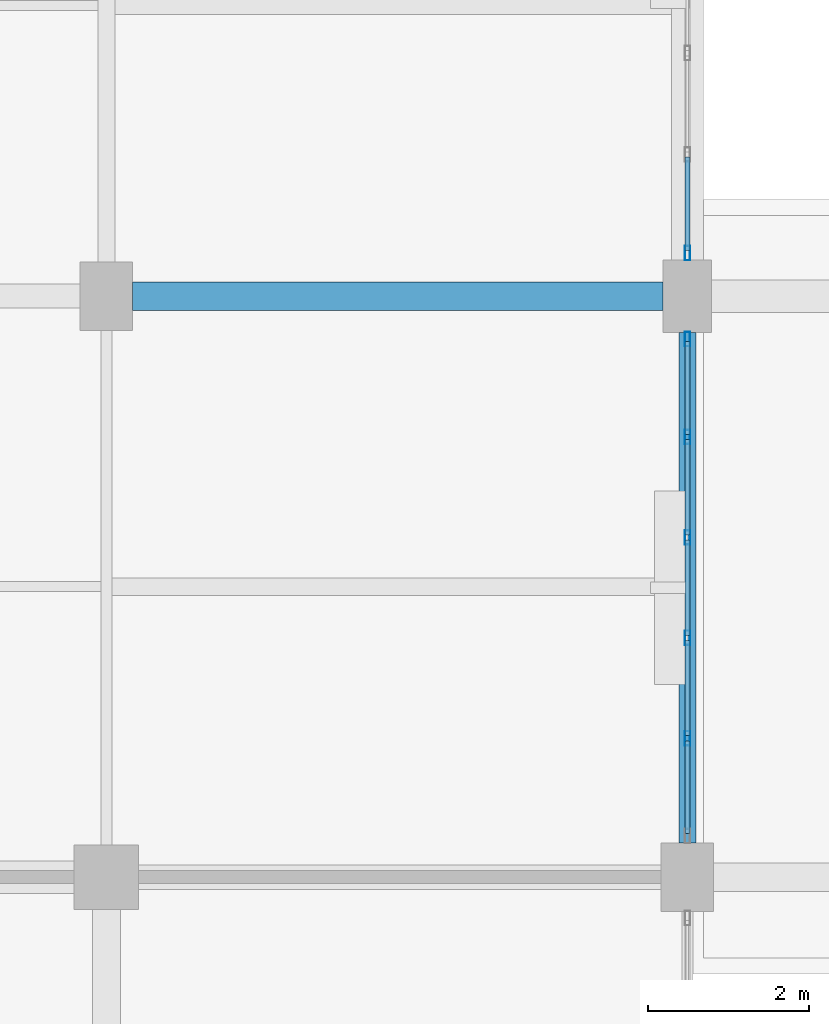
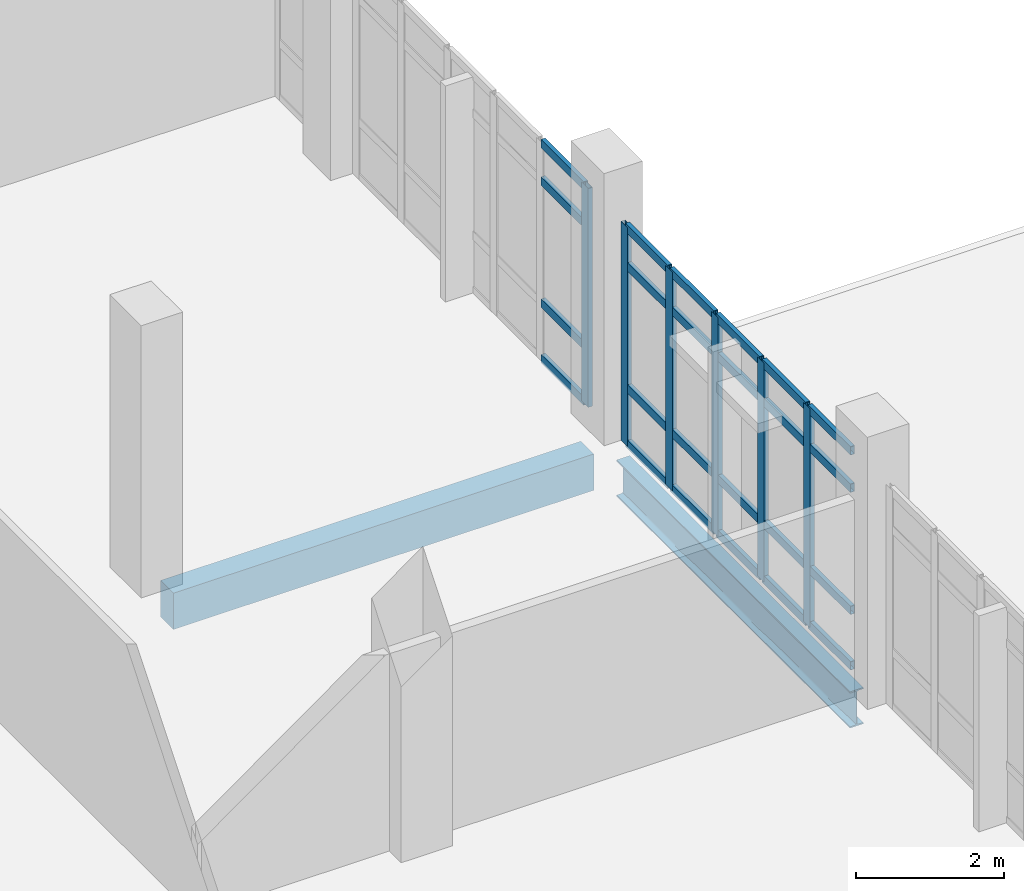
# One storey, part 17 of 134: 30 members, 2 beams, 2 elements without a shape of their own.
"""IFC4 building model written with IfcOpenShell, lengths in metres."""

from ifc_helpers import new_model, si_unit, direction, frame, origin, origin_2d, place, context, subcontext, project, spatial, rectangle, hollow_rectangle, i_section, extrude, material, material_profile, profile_set, type_object, element, aggregate, save


model = new_model("IFC4")

# Units and contexts
model_context = context("Model", 3, precision=1e-05, world=origin(), true_north=direction((0.0, 1.0)))
body_context = subcontext(model_context, "Body", "Model", "MODEL_VIEW")
ifc_project = project(units=[si_unit("LENGTHUNIT", "METRE"), si_unit("AREAUNIT", "SQUARE_METRE"), si_unit("VOLUMEUNIT", "CUBIC_METRE"), si_unit("PLANEANGLEUNIT", "RADIAN"), si_unit("MASSUNIT", "GRAM", prefix="KILO")], contexts=[model_context])

# Site, building, storey
site_placement = place(None, origin())
site = spatial("IfcSite", under=ifc_project, at=site_placement, CompositionType="ELEMENT")
building_placement = place(site_placement, origin())
building = spatial("IfcBuilding", under=site, at=building_placement, Name="Kalluvel Institute of Natural Sciences", CompositionType="ELEMENT")
storey_placement = place(building_placement, frame((0.0, 0.0, 5.39990234375)))
storey = spatial("IfcBuildingStorey", under=building, at=storey_placement, Name="L01", CompositionType="ELEMENT", Elevation=5.39990234375)

# Beam
ifc_material_1 = material(Name="Steel E350 Grade 350", Category="steel")
ifc_material_profile_1 = material_profile(ifc_material_1, i_section(OverallWidth=0.2099609375, OverallDepth=0.60009765625, WebThickness=0.011962890625, FlangeThickness=0.020751953125, FilletRadius=0.02001953125, at=origin_2d()), Name="ISMB 600")
ifc_profile_set_1 = profile_set([ifc_material_profile_1], Name="Steel E350 Grade 350")
beam_type_1 = type_object("IfcBeamType", Name="BM-ISMB600", PredefinedType="BEAM", material=ifc_profile_set_1)
beam_1_placement = place(storey_placement, frame((35.60009765625, 28.824951171875, -0.599853515625), z_axis=(0.0, 1.0, 0.0), x_axis=(-1.0, 0.0, 0.0)))
element("IfcBeam", 1, at=beam_1_placement, inside=storey, type_object=beam_type_1, Name="L01 girder GIR-L01-NS-X356-Y284", PredefinedType="BEAM", context=body_context, shape_type="SweptSolid", body=[
    extrude(i_section(OverallWidth=0.2099609375, OverallDepth=0.60009765625, WebThickness=0.011962890625, FlangeThickness=0.020751953125, FilletRadius=0.02001953125, at=origin_2d()), origin(), (0.0, 0.0, 1.0), 6.324951171875),
])

# Curtain wall, members
ifc_material_2 = material(Name="Aluminium AW-6063 T6", Category="aluminium")
curtain_wall_type = type_object("IfcCurtainWallType", Name="CW-DRY-45", PredefinedType="USERDEFINED", material=ifc_material_2)
curtain_wall_1_placement = place(storey_placement, origin())
curtain_wall_1 = element("IfcCurtainWall", 2, at=curtain_wall_1_placement, inside=storey, type_object=curtain_wall_type, Name="L01 Gothic lancet curtain wall CWA-L01-X356-Y289", ObjectType="UNITISED LANCET FACADE", PredefinedType="USERDEFINED")
ifc_material_profile_2 = material_profile(ifc_material_2, hollow_rectangle(XDim=0.06494140625, YDim=0.179931640625, WallThickness=0.00439453125, at=origin_2d()), Name="CWM 65x180")
ifc_profile_set_2 = profile_set([ifc_material_profile_2], Name="Aluminium AW-6063 T6")
member_type_1 = type_object("IfcMemberType", Name="CWM-65x180", PredefinedType="MULLION", material=ifc_profile_set_2)
member_1_placement = place(storey_placement, frame((35.60009765625, 30.1201171875, 0.0), z_axis=(0.0, 0.0, 1.0), x_axis=(-1.0, 0.0, 0.0)))
member_1 = element("IfcMember", 3, at=member_1_placement, type_object=member_type_1, Name="CW-03 mullion 2", PredefinedType="MULLION", context=body_context, shape_type="SweptSolid", body=[
    extrude(hollow_rectangle(XDim=0.06494140625, YDim=0.179931640625, WallThickness=0.00439453125, at=origin_2d()), origin(), (0.0, 0.0, 1.0), 3.6201171875),
])
member_2_placement = place(storey_placement, frame((35.60009765625, 31.364990234375, 0.0), z_axis=(0.0, 0.0, 1.0), x_axis=(-1.0, 0.0, 0.0)))
member_2 = element("IfcMember", 4, at=member_2_placement, type_object=member_type_1, Name="CW-03 mullion 3", PredefinedType="MULLION", context=body_context, shape_type="SweptSolid", body=[
    extrude(hollow_rectangle(XDim=0.06494140625, YDim=0.179931640625, WallThickness=0.00439453125, at=origin_2d()), origin(), (0.0, 0.0, 1.0), 3.6201171875),
])
member_3_placement = place(storey_placement, frame((35.60009765625, 32.610107421875, 0.0), z_axis=(0.0, 0.0, 1.0), x_axis=(-1.0, 0.0, 0.0)))
member_3 = element("IfcMember", 5, at=member_3_placement, type_object=member_type_1, Name="CW-03 mullion 4", PredefinedType="MULLION", context=body_context, shape_type="SweptSolid", body=[
    extrude(hollow_rectangle(XDim=0.06494140625, YDim=0.179931640625, WallThickness=0.00439453125, at=origin_2d()), origin(), (0.0, 0.0, 1.0), 3.6201171875),
])
member_4_placement = place(storey_placement, frame((35.60009765625, 33.85498046875, 0.0), z_axis=(0.0, 0.0, 1.0), x_axis=(-1.0, 0.0, 0.0)))
member_4 = element("IfcMember", 6, at=member_4_placement, type_object=member_type_1, Name="CW-03 mullion 5", PredefinedType="MULLION", context=body_context, shape_type="SweptSolid", body=[
    extrude(hollow_rectangle(XDim=0.06494140625, YDim=0.179931640625, WallThickness=0.00439453125, at=origin_2d()), origin(), (0.0, 0.0, 1.0), 3.6201171875),
])
member_5_placement = place(storey_placement, frame((35.60009765625, 35.0673828125, 0.0), z_axis=(0.0, 0.0, 1.0), x_axis=(-1.0, 0.0, 0.0)))
member_5 = element("IfcMember", 7, at=member_5_placement, type_object=member_type_1, Name="CW-03 mullion 6", PredefinedType="MULLION", context=body_context, shape_type="SweptSolid", body=[
    extrude(hollow_rectangle(XDim=0.06494140625, YDim=0.179931640625, WallThickness=0.00439453125, at=origin_2d()), origin(), (0.0, 0.0, 1.0), 3.6201171875),
])

# Curtain wall, member
curtain_wall_2_placement = place(storey_placement, origin())
curtain_wall_2 = element("IfcCurtainWall", 8, at=curtain_wall_2_placement, inside=storey, type_object=curtain_wall_type, Name="L01 Gothic lancet curtain wall CWA-L01-X356-Y361", ObjectType="UNITISED LANCET FACADE", PredefinedType="USERDEFINED")
member_6_placement = place(storey_placement, frame((35.60009765625, 36.132568359375, 0.0), z_axis=(0.0, 0.0, 1.0), x_axis=(-1.0, 0.0, 0.0)))
member_6 = element("IfcMember", 9, at=member_6_placement, type_object=member_type_1, Name="CW-03 mullion 1", PredefinedType="MULLION", context=body_context, shape_type="SweptSolid", body=[
    extrude(hollow_rectangle(XDim=0.06494140625, YDim=0.179931640625, WallThickness=0.00439453125, at=origin_2d()), origin(), (0.0, 0.0, 1.0), 3.6201171875),
])

# Member
ifc_material_profile_3 = material_profile(ifc_material_2, hollow_rectangle(XDim=0.06494140625, YDim=0.139892578125, WallThickness=0.00439453125, at=origin_2d()), Name="CWT 65x140")
ifc_profile_set_3 = profile_set([ifc_material_profile_3], Name="Aluminium AW-6063 T6")
member_type_2 = type_object("IfcMemberType", Name="CWT-65x140", PredefinedType="USERDEFINED", material=ifc_profile_set_3)
member_7_placement = place(storey_placement, frame((35.60009765625, 28.93994140625, 0.03271484375), z_axis=(0.0, 1.0, 0.0), x_axis=(-1.0, 0.0, 0.0)))
member_7 = element("IfcMember", 10, at=member_7_placement, type_object=member_type_2, Name="CW-03 transom 1.1", ObjectType="TRANSOM", PredefinedType="USERDEFINED", context=body_context, shape_type="SweptSolid", body=[
    extrude(hollow_rectangle(XDim=0.06494140625, YDim=0.139892578125, WallThickness=0.00439453125, at=origin_2d()), origin(), (0.0, 0.0, 1.0), 1.1474609375),
])

member_8_placement = place(storey_placement, frame((35.60009765625, 28.93994140625, 0.9501953125), z_axis=(0.0, 1.0, 0.0), x_axis=(-1.0, 0.0, 0.0)))
member_8 = element("IfcMember", 11, at=member_8_placement, type_object=member_type_2, Name="CW-03 transom 1.2", ObjectType="TRANSOM", PredefinedType="USERDEFINED", context=body_context, shape_type="SweptSolid", body=[
    extrude(hollow_rectangle(XDim=0.06494140625, YDim=0.139892578125, WallThickness=0.00439453125, at=origin_2d()), origin(), (0.0, 0.0, 1.0), 1.1474609375),
])

member_9_placement = place(storey_placement, frame((35.60009765625, 28.93994140625, 2.97021484375), z_axis=(0.0, 1.0, 0.0), x_axis=(-1.0, 0.0, 0.0)))
member_9 = element("IfcMember", 12, at=member_9_placement, type_object=member_type_2, Name="CW-03 transom 1.3", ObjectType="TRANSOM", PredefinedType="USERDEFINED", context=body_context, shape_type="SweptSolid", body=[
    extrude(hollow_rectangle(XDim=0.06494140625, YDim=0.139892578125, WallThickness=0.00439453125, at=origin_2d()), origin(), (0.0, 0.0, 1.0), 1.1474609375),
])

member_10_placement = place(storey_placement, frame((35.60009765625, 28.93994140625, 3.587646484375), z_axis=(0.0, 1.0, 0.0), x_axis=(-1.0, 0.0, 0.0)))
member_10 = element("IfcMember", 13, at=member_10_placement, type_object=member_type_2, Name="CW-03 transom 1.4", ObjectType="TRANSOM", PredefinedType="USERDEFINED", context=body_context, shape_type="SweptSolid", body=[
    extrude(hollow_rectangle(XDim=0.06494140625, YDim=0.139892578125, WallThickness=0.00439453125, at=origin_2d()), origin(), (0.0, 0.0, 1.0), 1.1474609375),
])

member_11_placement = place(storey_placement, frame((35.60009765625, 30.152587890625, 0.03271484375), z_axis=(0.0, 1.0, 0.0), x_axis=(-1.0, 0.0, 0.0)))
member_11 = element("IfcMember", 14, at=member_11_placement, type_object=member_type_2, Name="CW-03 transom 2.1", ObjectType="TRANSOM", PredefinedType="USERDEFINED", context=body_context, shape_type="SweptSolid", body=[
    extrude(hollow_rectangle(XDim=0.06494140625, YDim=0.139892578125, WallThickness=0.00439453125, at=origin_2d()), origin(), (0.0, 0.0, 1.0), 1.179931640625),
])

member_12_placement = place(storey_placement, frame((35.60009765625, 30.152587890625, 0.9501953125), z_axis=(0.0, 1.0, 0.0), x_axis=(-1.0, 0.0, 0.0)))
member_12 = element("IfcMember", 15, at=member_12_placement, type_object=member_type_2, Name="CW-03 transom 2.2", ObjectType="TRANSOM", PredefinedType="USERDEFINED", context=body_context, shape_type="SweptSolid", body=[
    extrude(hollow_rectangle(XDim=0.06494140625, YDim=0.139892578125, WallThickness=0.00439453125, at=origin_2d()), origin(), (0.0, 0.0, 1.0), 1.179931640625),
])

member_13_placement = place(storey_placement, frame((35.60009765625, 30.152587890625, 2.97021484375), z_axis=(0.0, 1.0, 0.0), x_axis=(-1.0, 0.0, 0.0)))
member_13 = element("IfcMember", 16, at=member_13_placement, type_object=member_type_2, Name="CW-03 transom 2.3", ObjectType="TRANSOM", PredefinedType="USERDEFINED", context=body_context, shape_type="SweptSolid", body=[
    extrude(hollow_rectangle(XDim=0.06494140625, YDim=0.139892578125, WallThickness=0.00439453125, at=origin_2d()), origin(), (0.0, 0.0, 1.0), 1.179931640625),
])

member_14_placement = place(storey_placement, frame((35.60009765625, 30.152587890625, 3.587646484375), z_axis=(0.0, 1.0, 0.0), x_axis=(-1.0, 0.0, 0.0)))
member_14 = element("IfcMember", 17, at=member_14_placement, type_object=member_type_2, Name="CW-03 transom 2.4", ObjectType="TRANSOM", PredefinedType="USERDEFINED", context=body_context, shape_type="SweptSolid", body=[
    extrude(hollow_rectangle(XDim=0.06494140625, YDim=0.139892578125, WallThickness=0.00439453125, at=origin_2d()), origin(), (0.0, 0.0, 1.0), 1.179931640625),
])

member_15_placement = place(storey_placement, frame((35.60009765625, 31.3974609375, 0.03271484375), z_axis=(0.0, 1.0, 0.0), x_axis=(-1.0, 0.0, 0.0)))
member_15 = element("IfcMember", 18, at=member_15_placement, type_object=member_type_2, Name="CW-03 transom 3.1", ObjectType="TRANSOM", PredefinedType="USERDEFINED", context=body_context, shape_type="SweptSolid", body=[
    extrude(hollow_rectangle(XDim=0.06494140625, YDim=0.139892578125, WallThickness=0.00439453125, at=origin_2d()), origin(), (0.0, 0.0, 1.0), 1.179931640625),
])

member_16_placement = place(storey_placement, frame((35.60009765625, 31.3974609375, 0.9501953125), z_axis=(0.0, 1.0, 0.0), x_axis=(-1.0, 0.0, 0.0)))
member_16 = element("IfcMember", 19, at=member_16_placement, type_object=member_type_2, Name="CW-03 transom 3.2", ObjectType="TRANSOM", PredefinedType="USERDEFINED", context=body_context, shape_type="SweptSolid", body=[
    extrude(hollow_rectangle(XDim=0.06494140625, YDim=0.139892578125, WallThickness=0.00439453125, at=origin_2d()), origin(), (0.0, 0.0, 1.0), 1.179931640625),
])

member_17_placement = place(storey_placement, frame((35.60009765625, 31.3974609375, 2.97021484375), z_axis=(0.0, 1.0, 0.0), x_axis=(-1.0, 0.0, 0.0)))
member_17 = element("IfcMember", 20, at=member_17_placement, type_object=member_type_2, Name="CW-03 transom 3.3", ObjectType="TRANSOM", PredefinedType="USERDEFINED", context=body_context, shape_type="SweptSolid", body=[
    extrude(hollow_rectangle(XDim=0.06494140625, YDim=0.139892578125, WallThickness=0.00439453125, at=origin_2d()), origin(), (0.0, 0.0, 1.0), 1.179931640625),
])

member_18_placement = place(storey_placement, frame((35.60009765625, 31.3974609375, 3.587646484375), z_axis=(0.0, 1.0, 0.0), x_axis=(-1.0, 0.0, 0.0)))
member_18 = element("IfcMember", 21, at=member_18_placement, type_object=member_type_2, Name="CW-03 transom 3.4", ObjectType="TRANSOM", PredefinedType="USERDEFINED", context=body_context, shape_type="SweptSolid", body=[
    extrude(hollow_rectangle(XDim=0.06494140625, YDim=0.139892578125, WallThickness=0.00439453125, at=origin_2d()), origin(), (0.0, 0.0, 1.0), 1.179931640625),
])

member_19_placement = place(storey_placement, frame((35.60009765625, 32.642578125, 0.03271484375), z_axis=(0.0, 1.0, 0.0), x_axis=(-1.0, 0.0, 0.0)))
member_19 = element("IfcMember", 22, at=member_19_placement, type_object=member_type_2, Name="CW-03 transom 4.1", ObjectType="TRANSOM", PredefinedType="USERDEFINED", context=body_context, shape_type="SweptSolid", body=[
    extrude(hollow_rectangle(XDim=0.06494140625, YDim=0.139892578125, WallThickness=0.00439453125, at=origin_2d()), origin(), (0.0, 0.0, 1.0), 1.179931640625),
])

member_20_placement = place(storey_placement, frame((35.60009765625, 32.642578125, 0.9501953125), z_axis=(0.0, 1.0, 0.0), x_axis=(-1.0, 0.0, 0.0)))
member_20 = element("IfcMember", 23, at=member_20_placement, type_object=member_type_2, Name="CW-03 transom 4.2", ObjectType="TRANSOM", PredefinedType="USERDEFINED", context=body_context, shape_type="SweptSolid", body=[
    extrude(hollow_rectangle(XDim=0.06494140625, YDim=0.139892578125, WallThickness=0.00439453125, at=origin_2d()), origin(), (0.0, 0.0, 1.0), 1.179931640625),
])

member_21_placement = place(storey_placement, frame((35.60009765625, 32.642578125, 2.97021484375), z_axis=(0.0, 1.0, 0.0), x_axis=(-1.0, 0.0, 0.0)))
member_21 = element("IfcMember", 24, at=member_21_placement, type_object=member_type_2, Name="CW-03 transom 4.3", ObjectType="TRANSOM", PredefinedType="USERDEFINED", context=body_context, shape_type="SweptSolid", body=[
    extrude(hollow_rectangle(XDim=0.06494140625, YDim=0.139892578125, WallThickness=0.00439453125, at=origin_2d()), origin(), (0.0, 0.0, 1.0), 1.179931640625),
])

member_22_placement = place(storey_placement, frame((35.60009765625, 32.642578125, 3.587646484375), z_axis=(0.0, 1.0, 0.0), x_axis=(-1.0, 0.0, 0.0)))
member_22 = element("IfcMember", 25, at=member_22_placement, type_object=member_type_2, Name="CW-03 transom 4.4", ObjectType="TRANSOM", PredefinedType="USERDEFINED", context=body_context, shape_type="SweptSolid", body=[
    extrude(hollow_rectangle(XDim=0.06494140625, YDim=0.139892578125, WallThickness=0.00439453125, at=origin_2d()), origin(), (0.0, 0.0, 1.0), 1.179931640625),
])

member_23_placement = place(storey_placement, frame((35.60009765625, 33.887451171875, 0.03271484375), z_axis=(0.0, 1.0, 0.0), x_axis=(-1.0, 0.0, 0.0)))
member_23 = element("IfcMember", 26, at=member_23_placement, type_object=member_type_2, Name="CW-03 transom 5.1", ObjectType="TRANSOM", PredefinedType="USERDEFINED", context=body_context, shape_type="SweptSolid", body=[
    extrude(hollow_rectangle(XDim=0.06494140625, YDim=0.139892578125, WallThickness=0.00439453125, at=origin_2d()), origin(), (0.0, 0.0, 1.0), 1.1474609375),
])

member_24_placement = place(storey_placement, frame((35.60009765625, 33.887451171875, 0.9501953125), z_axis=(0.0, 1.0, 0.0), x_axis=(-1.0, 0.0, 0.0)))
member_24 = element("IfcMember", 27, at=member_24_placement, type_object=member_type_2, Name="CW-03 transom 5.2", ObjectType="TRANSOM", PredefinedType="USERDEFINED", context=body_context, shape_type="SweptSolid", body=[
    extrude(hollow_rectangle(XDim=0.06494140625, YDim=0.139892578125, WallThickness=0.00439453125, at=origin_2d()), origin(), (0.0, 0.0, 1.0), 1.1474609375),
])

member_25_placement = place(storey_placement, frame((35.60009765625, 33.887451171875, 2.97021484375), z_axis=(0.0, 1.0, 0.0), x_axis=(-1.0, 0.0, 0.0)))
member_25 = element("IfcMember", 28, at=member_25_placement, type_object=member_type_2, Name="CW-03 transom 5.3", ObjectType="TRANSOM", PredefinedType="USERDEFINED", context=body_context, shape_type="SweptSolid", body=[
    extrude(hollow_rectangle(XDim=0.06494140625, YDim=0.139892578125, WallThickness=0.00439453125, at=origin_2d()), origin(), (0.0, 0.0, 1.0), 1.1474609375),
])

member_26_placement = place(storey_placement, frame((35.60009765625, 33.887451171875, 3.587646484375), z_axis=(0.0, 1.0, 0.0), x_axis=(-1.0, 0.0, 0.0)))
member_26 = element("IfcMember", 29, at=member_26_placement, type_object=member_type_2, Name="CW-03 transom 5.4", ObjectType="TRANSOM", PredefinedType="USERDEFINED", context=body_context, shape_type="SweptSolid", body=[
    extrude(hollow_rectangle(XDim=0.06494140625, YDim=0.139892578125, WallThickness=0.00439453125, at=origin_2d()), origin(), (0.0, 0.0, 1.0), 1.1474609375),
])

aggregate(curtain_wall_1, [member_1, member_2, member_3, member_4, member_5, member_7, member_8, member_9, member_10, member_11, member_12, member_13, member_14, member_15, member_16, member_17, member_18, member_19, member_20, member_21, member_22, member_23, member_24, member_25, member_26])

member_27_placement = place(storey_placement, frame((35.60009765625, 36.1650390625, 0.03271484375), z_axis=(0.0, 1.0, 0.0), x_axis=(-1.0, 0.0, 0.0)))
member_27 = element("IfcMember", 30, at=member_27_placement, type_object=member_type_2, Name="CW-03 transom 1.1", ObjectType="TRANSOM", PredefinedType="USERDEFINED", context=body_context, shape_type="SweptSolid", body=[
    extrude(hollow_rectangle(XDim=0.06494140625, YDim=0.139892578125, WallThickness=0.00439453125, at=origin_2d()), origin(), (0.0, 0.0, 1.0), 1.157470703125),
])

member_28_placement = place(storey_placement, frame((35.60009765625, 36.1650390625, 0.9501953125), z_axis=(0.0, 1.0, 0.0), x_axis=(-1.0, 0.0, 0.0)))
member_28 = element("IfcMember", 31, at=member_28_placement, type_object=member_type_2, Name="CW-03 transom 1.2", ObjectType="TRANSOM", PredefinedType="USERDEFINED", context=body_context, shape_type="SweptSolid", body=[
    extrude(hollow_rectangle(XDim=0.06494140625, YDim=0.139892578125, WallThickness=0.00439453125, at=origin_2d()), origin(), (0.0, 0.0, 1.0), 1.157470703125),
])

member_29_placement = place(storey_placement, frame((35.60009765625, 36.1650390625, 2.97021484375), z_axis=(0.0, 1.0, 0.0), x_axis=(-1.0, 0.0, 0.0)))
member_29 = element("IfcMember", 32, at=member_29_placement, type_object=member_type_2, Name="CW-03 transom 1.3", ObjectType="TRANSOM", PredefinedType="USERDEFINED", context=body_context, shape_type="SweptSolid", body=[
    extrude(hollow_rectangle(XDim=0.06494140625, YDim=0.139892578125, WallThickness=0.00439453125, at=origin_2d()), origin(), (0.0, 0.0, 1.0), 1.157470703125),
])

member_30_placement = place(storey_placement, frame((35.60009765625, 36.1650390625, 3.587646484375), z_axis=(0.0, 1.0, 0.0), x_axis=(-1.0, 0.0, 0.0)))
member_30 = element("IfcMember", 33, at=member_30_placement, type_object=member_type_2, Name="CW-03 transom 1.4", ObjectType="TRANSOM", PredefinedType="USERDEFINED", context=body_context, shape_type="SweptSolid", body=[
    extrude(hollow_rectangle(XDim=0.06494140625, YDim=0.139892578125, WallThickness=0.00439453125, at=origin_2d()), origin(), (0.0, 0.0, 1.0), 1.157470703125),
])

aggregate(curtain_wall_2, [member_6, member_27, member_28, member_29, member_30])

# Beam
ifc_material_3 = material(Name="Concrete M40", Category="concrete")
ifc_material_profile_4 = material_profile(ifc_material_3, rectangle(XDim=0.35009765625, YDim=0.60009765625, at=origin_2d()), Name="RCB 350x600")
ifc_profile_set_4 = profile_set([ifc_material_profile_4], Name="Concrete M40")
beam_type_2 = type_object("IfcBeamType", Name="SP-RC350x600", PredefinedType="SPANDREL", material=ifc_profile_set_4)
beam_2_placement = place(storey_placement, frame((28.72509765625, 35.60009765625, -0.599853515625), z_axis=(1.0, 0.0, 0.0), x_axis=(0.0, 1.0, 0.0)))
element("IfcBeam", 34, at=beam_2_placement, inside=storey, type_object=beam_type_2, Name="L01 girder GIR-L01-EW-X284-Y356", PredefinedType="SPANDREL", context=body_context, shape_type="SweptSolid", body=[
    extrude(rectangle(XDim=0.35009765625, YDim=0.60009765625, at=origin_2d()), origin(), (0.0, 0.0, 1.0), 6.574951171875),
])

save(model, "model.ifc")
